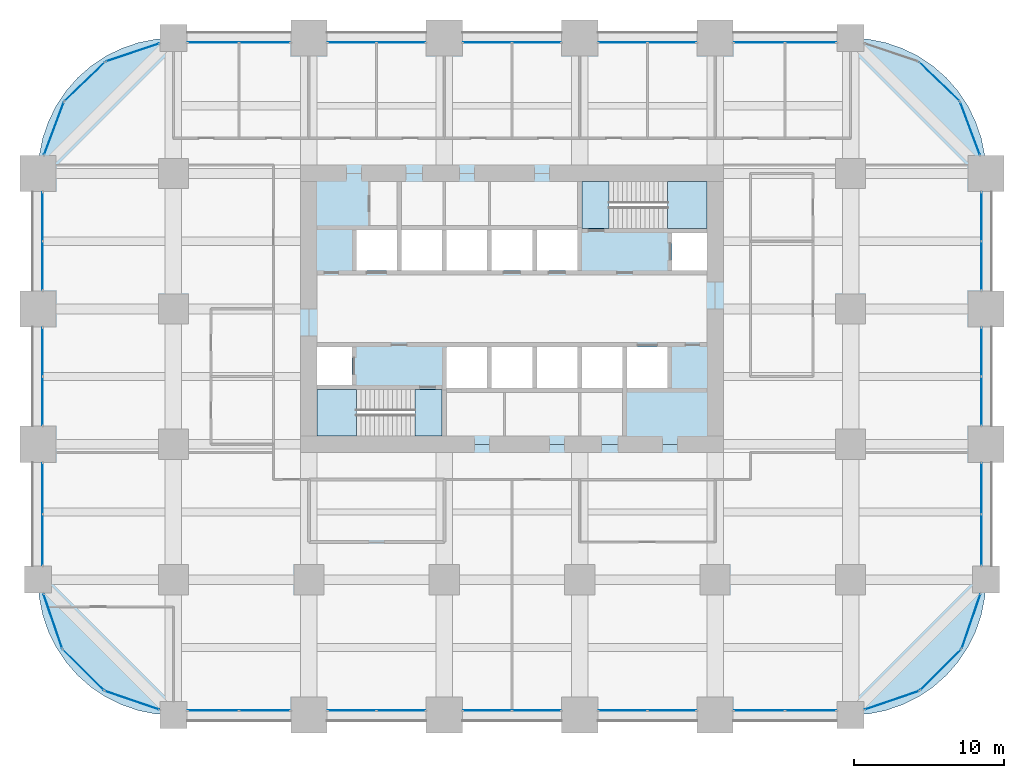
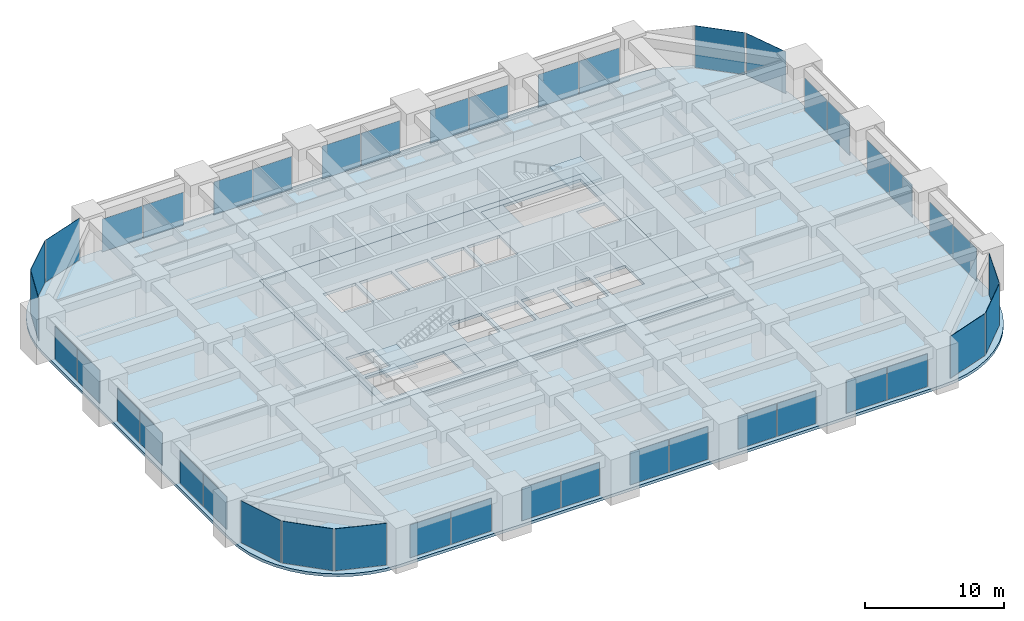
# One storey, part 35 of 40: 43 plates, 6 slabs, 29 elements without a shape of their own.
"""IFC4 building model written with IfcOpenShell, lengths in metres."""

from ifc_helpers import new_model, si_unit, direction, frame, origin, origin_2d, place, context, subcontext, project, spatial, polyline, rectangle, outline, extrude, material, layer, layer_set, type_object, element, aggregate, save


model = new_model("IFC4")

# Units and contexts
model_context = context("Model", 3, precision=1e-05, world=origin(), true_north=direction((0.0, 1.0)))
body_context = subcontext(model_context, "Body", "Model", "MODEL_VIEW")
ifc_project = project(units=[si_unit("LENGTHUNIT", "METRE"), si_unit("AREAUNIT", "SQUARE_METRE"), si_unit("VOLUMEUNIT", "CUBIC_METRE"), si_unit("PLANEANGLEUNIT", "RADIAN"), si_unit("MASSUNIT", "GRAM", prefix="KILO")], contexts=[model_context])

# Site, building, storey
site_placement = place(None, origin())
site = spatial("IfcSite", under=ifc_project, at=site_placement, CompositionType="ELEMENT")
building_placement = place(site_placement, origin())
building = spatial("IfcBuilding", under=site, at=building_placement, Name="Zorevar Civic Tower", CompositionType="ELEMENT")
storey_placement = place(building_placement, frame((0.0, 0.0, 93.0)))
storey = spatial("IfcBuildingStorey", under=building, at=storey_placement, Name="L22", CompositionType="ELEMENT", Elevation=93.0)

# Curtain wall, plates
ifc_material_1 = material(Name="Dark grey solar-control glass in black aluminium frame", Category="aluminium")
curtain_wall_type = type_object("IfcCurtainWallType", Name="Curtain wall CW3 mid zone", PredefinedType="NOTDEFINED", material=ifc_material_1)
curtain_wall_1_placement = place(storey_placement, origin())
curtain_wall_1 = element("IfcCurtainWall", 1, at=curtain_wall_1_placement, inside=storey, type_object=curtain_wall_type, Name="CW3 L22", PredefinedType="NOTDEFINED")
ifc_material_2 = material(Name="Dark grey solar-control glass", Category="glass")
ifc_layer_1 = layer(ifc_material_2, 0.030029296875)
ifc_layer_set_1 = layer_set([ifc_layer_1], Name="CW3 panel 30")
plate_type = type_object("IfcPlateType", Name="CW3 panel 30", PredefinedType="CURTAIN_PANEL", material=ifc_layer_set_1)
plate_1_placement = place(storey_placement, frame((11.639892578125, 0.300048828125, 0.06005859375), z_axis=(0.0, 0.0, 1.0), x_axis=(1.0, 0.0, 0.0)))
plate_1 = element("IfcPlate", 2, at=plate_1_placement, type_object=plate_type, Name="CW3 panel 1.1", PredefinedType="CURTAIN_PANEL", context=body_context, shape_type="SweptSolid", body=[
    extrude(rectangle(XDim=3.360107421875, YDim=0.030029296875, at=origin_2d()), origin(), (0.0, 0.0, 1.0), 2.889892578125),
])
plate_2_placement = place(storey_placement, frame((15.06005859375, 0.300048828125, 0.06005859375), z_axis=(0.0, 0.0, 1.0), x_axis=(1.0, 0.0, 0.0)))
plate_2 = element("IfcPlate", 3, at=plate_2_placement, type_object=plate_type, Name="CW3 panel 2.1", PredefinedType="CURTAIN_PANEL", context=body_context, shape_type="SweptSolid", body=[
    extrude(rectangle(XDim=3.360107421875, YDim=0.030029296875, at=origin_2d()), origin(), (0.0, 0.0, 1.0), 2.889892578125),
])
aggregate(curtain_wall_1, [plate_1, plate_2])

curtain_wall_2_placement = place(storey_placement, origin())
curtain_wall_2 = element("IfcCurtainWall", 4, at=curtain_wall_2_placement, inside=storey, type_object=curtain_wall_type, Name="CW3 L22", PredefinedType="NOTDEFINED")
plate_3_placement = place(storey_placement, frame((11.639892578125, 44.699951171875, 0.06005859375), z_axis=(0.0, 0.0, 1.0), x_axis=(1.0, 0.0, 0.0)))
plate_3 = element("IfcPlate", 5, at=plate_3_placement, type_object=plate_type, Name="CW3 panel 1.1", PredefinedType="CURTAIN_PANEL", context=body_context, shape_type="SweptSolid", body=[
    extrude(rectangle(XDim=3.360107421875, YDim=0.030029296875, at=origin_2d()), origin(), (0.0, 0.0, 1.0), 2.889892578125),
])
plate_4_placement = place(storey_placement, frame((15.06005859375, 44.699951171875, 0.06005859375), z_axis=(0.0, 0.0, 1.0), x_axis=(1.0, 0.0, 0.0)))
plate_4 = element("IfcPlate", 6, at=plate_4_placement, type_object=plate_type, Name="CW3 panel 2.1", PredefinedType="CURTAIN_PANEL", context=body_context, shape_type="SweptSolid", body=[
    extrude(rectangle(XDim=3.360107421875, YDim=0.030029296875, at=origin_2d()), origin(), (0.0, 0.0, 1.0), 2.889892578125),
])
aggregate(curtain_wall_2, [plate_3, plate_4])

curtain_wall_3_placement = place(storey_placement, origin())
curtain_wall_3 = element("IfcCurtainWall", 7, at=curtain_wall_3_placement, inside=storey, type_object=curtain_wall_type, Name="CW3 L22", PredefinedType="NOTDEFINED")
plate_5_placement = place(storey_placement, frame((20.864990234375, 0.300048828125, 0.06005859375), z_axis=(0.0, 0.0, 1.0), x_axis=(1.0, 0.0, 0.0)))
plate_5 = element("IfcPlate", 8, at=plate_5_placement, type_object=plate_type, Name="CW3 panel 1.1", PredefinedType="CURTAIN_PANEL", context=body_context, shape_type="SweptSolid", body=[
    extrude(rectangle(XDim=3.2099609375, YDim=0.030029296875, at=origin_2d()), origin(), (0.0, 0.0, 1.0), 2.889892578125),
])
plate_6_placement = place(storey_placement, frame((24.135009765625, 0.300048828125, 0.06005859375), z_axis=(0.0, 0.0, 1.0), x_axis=(1.0, 0.0, 0.0)))
plate_6 = element("IfcPlate", 9, at=plate_6_placement, type_object=plate_type, Name="CW3 panel 2.1", PredefinedType="CURTAIN_PANEL", context=body_context, shape_type="SweptSolid", body=[
    extrude(rectangle(XDim=3.2099609375, YDim=0.030029296875, at=origin_2d()), origin(), (0.0, 0.0, 1.0), 2.889892578125),
])
aggregate(curtain_wall_3, [plate_5, plate_6])

curtain_wall_4_placement = place(storey_placement, origin())
curtain_wall_4 = element("IfcCurtainWall", 10, at=curtain_wall_4_placement, inside=storey, type_object=curtain_wall_type, Name="CW3 L22", PredefinedType="NOTDEFINED")
plate_7_placement = place(storey_placement, frame((20.864990234375, 44.699951171875, 0.06005859375), z_axis=(0.0, 0.0, 1.0), x_axis=(1.0, 0.0, 0.0)))
plate_7 = element("IfcPlate", 11, at=plate_7_placement, type_object=plate_type, Name="CW3 panel 1.1", PredefinedType="CURTAIN_PANEL", context=body_context, shape_type="SweptSolid", body=[
    extrude(rectangle(XDim=3.2099609375, YDim=0.030029296875, at=origin_2d()), origin(), (0.0, 0.0, 1.0), 2.889892578125),
])
plate_8_placement = place(storey_placement, frame((24.135009765625, 44.699951171875, 0.06005859375), z_axis=(0.0, 0.0, 1.0), x_axis=(1.0, 0.0, 0.0)))
plate_8 = element("IfcPlate", 12, at=plate_8_placement, type_object=plate_type, Name="CW3 panel 2.1", PredefinedType="CURTAIN_PANEL", context=body_context, shape_type="SweptSolid", body=[
    extrude(rectangle(XDim=3.2099609375, YDim=0.030029296875, at=origin_2d()), origin(), (0.0, 0.0, 1.0), 2.889892578125),
])
aggregate(curtain_wall_4, [plate_7, plate_8])

curtain_wall_5_placement = place(storey_placement, origin())
curtain_wall_5 = element("IfcCurtainWall", 13, at=curtain_wall_5_placement, inside=storey, type_object=curtain_wall_type, Name="CW3 L22", PredefinedType="NOTDEFINED")
plate_9_placement = place(storey_placement, frame((29.864990234375, 0.300048828125, 0.06005859375), z_axis=(0.0, 0.0, 1.0), x_axis=(1.0, 0.0, 0.0)))
plate_9 = element("IfcPlate", 14, at=plate_9_placement, type_object=plate_type, Name="CW3 panel 1.1", PredefinedType="CURTAIN_PANEL", context=body_context, shape_type="SweptSolid", body=[
    extrude(rectangle(XDim=3.2099609375, YDim=0.030029296875, at=origin_2d()), origin(), (0.0, 0.0, 1.0), 2.889892578125),
])
plate_10_placement = place(storey_placement, frame((33.135009765625, 0.300048828125, 0.06005859375), z_axis=(0.0, 0.0, 1.0), x_axis=(1.0, 0.0, 0.0)))
plate_10 = element("IfcPlate", 15, at=plate_10_placement, type_object=plate_type, Name="CW3 panel 2.1", PredefinedType="CURTAIN_PANEL", context=body_context, shape_type="SweptSolid", body=[
    extrude(rectangle(XDim=3.2099609375, YDim=0.030029296875, at=origin_2d()), origin(), (0.0, 0.0, 1.0), 2.889892578125),
])
aggregate(curtain_wall_5, [plate_9, plate_10])

curtain_wall_6_placement = place(storey_placement, origin())
curtain_wall_6 = element("IfcCurtainWall", 16, at=curtain_wall_6_placement, inside=storey, type_object=curtain_wall_type, Name="CW3 L22", PredefinedType="NOTDEFINED")
plate_11_placement = place(storey_placement, frame((29.864990234375, 44.699951171875, 0.06005859375), z_axis=(0.0, 0.0, 1.0), x_axis=(1.0, 0.0, 0.0)))
plate_11 = element("IfcPlate", 17, at=plate_11_placement, type_object=plate_type, Name="CW3 panel 1.1", PredefinedType="CURTAIN_PANEL", context=body_context, shape_type="SweptSolid", body=[
    extrude(rectangle(XDim=3.2099609375, YDim=0.030029296875, at=origin_2d()), origin(), (0.0, 0.0, 1.0), 2.889892578125),
])
plate_12_placement = place(storey_placement, frame((33.135009765625, 44.699951171875, 0.06005859375), z_axis=(0.0, 0.0, 1.0), x_axis=(1.0, 0.0, 0.0)))
plate_12 = element("IfcPlate", 18, at=plate_12_placement, type_object=plate_type, Name="CW3 panel 2.1", PredefinedType="CURTAIN_PANEL", context=body_context, shape_type="SweptSolid", body=[
    extrude(rectangle(XDim=3.2099609375, YDim=0.030029296875, at=origin_2d()), origin(), (0.0, 0.0, 1.0), 2.889892578125),
])
aggregate(curtain_wall_6, [plate_11, plate_12])

curtain_wall_7_placement = place(storey_placement, origin())
curtain_wall_7 = element("IfcCurtainWall", 19, at=curtain_wall_7_placement, inside=storey, type_object=curtain_wall_type, Name="CW3 L22", PredefinedType="NOTDEFINED")
plate_13_placement = place(storey_placement, frame((38.864990234375, 0.300048828125, 0.06005859375), z_axis=(0.0, 0.0, 1.0), x_axis=(1.0, 0.0, 0.0)))
plate_13 = element("IfcPlate", 20, at=plate_13_placement, type_object=plate_type, Name="CW3 panel 1.1", PredefinedType="CURTAIN_PANEL", context=body_context, shape_type="SweptSolid", body=[
    extrude(rectangle(XDim=3.2099609375, YDim=0.030029296875, at=origin_2d()), origin(), (0.0, 0.0, 1.0), 2.889892578125),
])
plate_14_placement = place(storey_placement, frame((42.135009765625, 0.300048828125, 0.06005859375), z_axis=(0.0, 0.0, 1.0), x_axis=(1.0, 0.0, 0.0)))
plate_14 = element("IfcPlate", 21, at=plate_14_placement, type_object=plate_type, Name="CW3 panel 2.1", PredefinedType="CURTAIN_PANEL", context=body_context, shape_type="SweptSolid", body=[
    extrude(rectangle(XDim=3.2099609375, YDim=0.030029296875, at=origin_2d()), origin(), (0.0, 0.0, 1.0), 2.889892578125),
])
aggregate(curtain_wall_7, [plate_13, plate_14])

curtain_wall_8_placement = place(storey_placement, origin())
curtain_wall_8 = element("IfcCurtainWall", 22, at=curtain_wall_8_placement, inside=storey, type_object=curtain_wall_type, Name="CW3 L22", PredefinedType="NOTDEFINED")
plate_15_placement = place(storey_placement, frame((38.864990234375, 44.699951171875, 0.06005859375), z_axis=(0.0, 0.0, 1.0), x_axis=(1.0, 0.0, 0.0)))
plate_15 = element("IfcPlate", 23, at=plate_15_placement, type_object=plate_type, Name="CW3 panel 1.1", PredefinedType="CURTAIN_PANEL", context=body_context, shape_type="SweptSolid", body=[
    extrude(rectangle(XDim=3.2099609375, YDim=0.030029296875, at=origin_2d()), origin(), (0.0, 0.0, 1.0), 2.889892578125),
])
plate_16_placement = place(storey_placement, frame((42.135009765625, 44.699951171875, 0.06005859375), z_axis=(0.0, 0.0, 1.0), x_axis=(1.0, 0.0, 0.0)))
plate_16 = element("IfcPlate", 24, at=plate_16_placement, type_object=plate_type, Name="CW3 panel 2.1", PredefinedType="CURTAIN_PANEL", context=body_context, shape_type="SweptSolid", body=[
    extrude(rectangle(XDim=3.2099609375, YDim=0.030029296875, at=origin_2d()), origin(), (0.0, 0.0, 1.0), 2.889892578125),
])
aggregate(curtain_wall_8, [plate_15, plate_16])

curtain_wall_9_placement = place(storey_placement, origin())
curtain_wall_9 = element("IfcCurtainWall", 25, at=curtain_wall_9_placement, inside=storey, type_object=curtain_wall_type, Name="CW3 L22", PredefinedType="NOTDEFINED")
plate_17_placement = place(storey_placement, frame((47.93994140625, 0.300048828125, 0.06005859375), z_axis=(0.0, 0.0, 1.0), x_axis=(1.0, 0.0, 0.0)))
plate_17 = element("IfcPlate", 26, at=plate_17_placement, type_object=plate_type, Name="CW3 panel 1.1", PredefinedType="CURTAIN_PANEL", context=body_context, shape_type="SweptSolid", body=[
    extrude(rectangle(XDim=3.360107421875, YDim=0.030029296875, at=origin_2d()), origin(), (0.0, 0.0, 1.0), 2.889892578125),
])
plate_18_placement = place(storey_placement, frame((51.360107421875, 0.300048828125, 0.06005859375), z_axis=(0.0, 0.0, 1.0), x_axis=(1.0, 0.0, 0.0)))
plate_18 = element("IfcPlate", 27, at=plate_18_placement, type_object=plate_type, Name="CW3 panel 2.1", PredefinedType="CURTAIN_PANEL", context=body_context, shape_type="SweptSolid", body=[
    extrude(rectangle(XDim=3.360107421875, YDim=0.030029296875, at=origin_2d()), origin(), (0.0, 0.0, 1.0), 2.889892578125),
])
aggregate(curtain_wall_9, [plate_17, plate_18])

curtain_wall_10_placement = place(storey_placement, origin())
curtain_wall_10 = element("IfcCurtainWall", 28, at=curtain_wall_10_placement, inside=storey, type_object=curtain_wall_type, Name="CW3 L22", PredefinedType="NOTDEFINED")
plate_19_placement = place(storey_placement, frame((47.93994140625, 44.699951171875, 0.06005859375), z_axis=(0.0, 0.0, 1.0), x_axis=(1.0, 0.0, 0.0)))
plate_19 = element("IfcPlate", 29, at=plate_19_placement, type_object=plate_type, Name="CW3 panel 1.1", PredefinedType="CURTAIN_PANEL", context=body_context, shape_type="SweptSolid", body=[
    extrude(rectangle(XDim=3.360107421875, YDim=0.030029296875, at=origin_2d()), origin(), (0.0, 0.0, 1.0), 2.889892578125),
])
plate_20_placement = place(storey_placement, frame((51.360107421875, 44.699951171875, 0.06005859375), z_axis=(0.0, 0.0, 1.0), x_axis=(1.0, 0.0, 0.0)))
plate_20 = element("IfcPlate", 30, at=plate_20_placement, type_object=plate_type, Name="CW3 panel 2.1", PredefinedType="CURTAIN_PANEL", context=body_context, shape_type="SweptSolid", body=[
    extrude(rectangle(XDim=3.360107421875, YDim=0.030029296875, at=origin_2d()), origin(), (0.0, 0.0, 1.0), 2.889892578125),
])
aggregate(curtain_wall_10, [plate_19, plate_20])

curtain_wall_11_placement = place(storey_placement, origin())
curtain_wall_11 = element("IfcCurtainWall", 31, at=curtain_wall_11_placement, inside=storey, type_object=curtain_wall_type, Name="CW3 L22", PredefinedType="NOTDEFINED")
plate_21_placement = place(storey_placement, frame((0.300048828125, 11.639892578125, 0.06005859375), z_axis=(0.0, 0.0, 1.0), x_axis=(0.0, 1.0, 0.0)))
plate_21 = element("IfcPlate", 32, at=plate_21_placement, type_object=plate_type, Name="CW3 panel 1.1", PredefinedType="CURTAIN_PANEL", context=body_context, shape_type="SweptSolid", body=[
    extrude(rectangle(XDim=3.360107421875, YDim=0.030029296875, at=origin_2d()), origin(), (0.0, 0.0, 1.0), 2.889892578125),
])
plate_22_placement = place(storey_placement, frame((0.300048828125, 15.06005859375, 0.06005859375), z_axis=(0.0, 0.0, 1.0), x_axis=(0.0, 1.0, 0.0)))
plate_22 = element("IfcPlate", 33, at=plate_22_placement, type_object=plate_type, Name="CW3 panel 2.1", PredefinedType="CURTAIN_PANEL", context=body_context, shape_type="SweptSolid", body=[
    extrude(rectangle(XDim=3.360107421875, YDim=0.030029296875, at=origin_2d()), origin(), (0.0, 0.0, 1.0), 2.889892578125),
])
aggregate(curtain_wall_11, [plate_21, plate_22])

curtain_wall_12_placement = place(storey_placement, origin())
curtain_wall_12 = element("IfcCurtainWall", 34, at=curtain_wall_12_placement, inside=storey, type_object=curtain_wall_type, Name="CW3 L22", PredefinedType="NOTDEFINED")
plate_23_placement = place(storey_placement, frame((62.699951171875, 11.639892578125, 0.06005859375), z_axis=(0.0, 0.0, 1.0), x_axis=(0.0, 1.0, 0.0)))
plate_23 = element("IfcPlate", 35, at=plate_23_placement, type_object=plate_type, Name="CW3 panel 1.1", PredefinedType="CURTAIN_PANEL", context=body_context, shape_type="SweptSolid", body=[
    extrude(rectangle(XDim=3.360107421875, YDim=0.030029296875, at=origin_2d()), origin(), (0.0, 0.0, 1.0), 2.889892578125),
])
plate_24_placement = place(storey_placement, frame((62.699951171875, 15.06005859375, 0.06005859375), z_axis=(0.0, 0.0, 1.0), x_axis=(0.0, 1.0, 0.0)))
plate_24 = element("IfcPlate", 36, at=plate_24_placement, type_object=plate_type, Name="CW3 panel 2.1", PredefinedType="CURTAIN_PANEL", context=body_context, shape_type="SweptSolid", body=[
    extrude(rectangle(XDim=3.360107421875, YDim=0.030029296875, at=origin_2d()), origin(), (0.0, 0.0, 1.0), 2.889892578125),
])
aggregate(curtain_wall_12, [plate_23, plate_24])

curtain_wall_13_placement = place(storey_placement, origin())
curtain_wall_13 = element("IfcCurtainWall", 37, at=curtain_wall_13_placement, inside=storey, type_object=curtain_wall_type, Name="CW3 L22", PredefinedType="NOTDEFINED")
plate_25_placement = place(storey_placement, frame((0.300048828125, 20.864990234375, 0.06005859375), z_axis=(0.0, 0.0, 1.0), x_axis=(0.0, 1.0, 0.0)))
plate_25 = element("IfcPlate", 38, at=plate_25_placement, type_object=plate_type, Name="CW3 panel 1.1", PredefinedType="CURTAIN_PANEL", context=body_context, shape_type="SweptSolid", body=[
    extrude(rectangle(XDim=3.2099609375, YDim=0.030029296875, at=origin_2d()), origin(), (0.0, 0.0, 1.0), 2.889892578125),
])
plate_26_placement = place(storey_placement, frame((0.300048828125, 24.135009765625, 0.06005859375), z_axis=(0.0, 0.0, 1.0), x_axis=(0.0, 1.0, 0.0)))
plate_26 = element("IfcPlate", 39, at=plate_26_placement, type_object=plate_type, Name="CW3 panel 2.1", PredefinedType="CURTAIN_PANEL", context=body_context, shape_type="SweptSolid", body=[
    extrude(rectangle(XDim=3.2099609375, YDim=0.030029296875, at=origin_2d()), origin(), (0.0, 0.0, 1.0), 2.889892578125),
])
aggregate(curtain_wall_13, [plate_25, plate_26])

curtain_wall_14_placement = place(storey_placement, origin())
curtain_wall_14 = element("IfcCurtainWall", 40, at=curtain_wall_14_placement, inside=storey, type_object=curtain_wall_type, Name="CW3 L22", PredefinedType="NOTDEFINED")
plate_27_placement = place(storey_placement, frame((62.699951171875, 20.864990234375, 0.06005859375), z_axis=(0.0, 0.0, 1.0), x_axis=(0.0, 1.0, 0.0)))
plate_27 = element("IfcPlate", 41, at=plate_27_placement, type_object=plate_type, Name="CW3 panel 1.1", PredefinedType="CURTAIN_PANEL", context=body_context, shape_type="SweptSolid", body=[
    extrude(rectangle(XDim=3.2099609375, YDim=0.030029296875, at=origin_2d()), origin(), (0.0, 0.0, 1.0), 2.889892578125),
])
plate_28_placement = place(storey_placement, frame((62.699951171875, 24.135009765625, 0.06005859375), z_axis=(0.0, 0.0, 1.0), x_axis=(0.0, 1.0, 0.0)))
plate_28 = element("IfcPlate", 42, at=plate_28_placement, type_object=plate_type, Name="CW3 panel 2.1", PredefinedType="CURTAIN_PANEL", context=body_context, shape_type="SweptSolid", body=[
    extrude(rectangle(XDim=3.2099609375, YDim=0.030029296875, at=origin_2d()), origin(), (0.0, 0.0, 1.0), 2.889892578125),
])
aggregate(curtain_wall_14, [plate_27, plate_28])

curtain_wall_15_placement = place(storey_placement, origin())
curtain_wall_15 = element("IfcCurtainWall", 43, at=curtain_wall_15_placement, inside=storey, type_object=curtain_wall_type, Name="CW3 L22", PredefinedType="NOTDEFINED")
plate_29_placement = place(storey_placement, frame((0.300048828125, 29.864990234375, 0.06005859375), z_axis=(0.0, 0.0, 1.0), x_axis=(0.0, 1.0, 0.0)))
plate_29 = element("IfcPlate", 44, at=plate_29_placement, type_object=plate_type, Name="CW3 panel 1.1", PredefinedType="CURTAIN_PANEL", context=body_context, shape_type="SweptSolid", body=[
    extrude(rectangle(XDim=3.2099609375, YDim=0.030029296875, at=origin_2d()), origin(), (0.0, 0.0, 1.0), 2.889892578125),
])
plate_30_placement = place(storey_placement, frame((0.300048828125, 33.135009765625, 0.06005859375), z_axis=(0.0, 0.0, 1.0), x_axis=(0.0, 1.0, 0.0)))
plate_30 = element("IfcPlate", 45, at=plate_30_placement, type_object=plate_type, Name="CW3 panel 2.1", PredefinedType="CURTAIN_PANEL", context=body_context, shape_type="SweptSolid", body=[
    extrude(rectangle(XDim=3.2099609375, YDim=0.030029296875, at=origin_2d()), origin(), (0.0, 0.0, 1.0), 2.889892578125),
])
aggregate(curtain_wall_15, [plate_29, plate_30])

curtain_wall_16_placement = place(storey_placement, origin())
curtain_wall_16 = element("IfcCurtainWall", 46, at=curtain_wall_16_placement, inside=storey, type_object=curtain_wall_type, Name="CW3 L22", PredefinedType="NOTDEFINED")
plate_31_placement = place(storey_placement, frame((62.699951171875, 29.864990234375, 0.06005859375), z_axis=(0.0, 0.0, 1.0), x_axis=(0.0, 1.0, 0.0)))
plate_31 = element("IfcPlate", 47, at=plate_31_placement, type_object=plate_type, Name="CW3 panel 1.1", PredefinedType="CURTAIN_PANEL", context=body_context, shape_type="SweptSolid", body=[
    extrude(rectangle(XDim=3.2099609375, YDim=0.030029296875, at=origin_2d()), origin(), (0.0, 0.0, 1.0), 2.889892578125),
])
plate_32_placement = place(storey_placement, frame((62.699951171875, 33.135009765625, 0.06005859375), z_axis=(0.0, 0.0, 1.0), x_axis=(0.0, 1.0, 0.0)))
plate_32 = element("IfcPlate", 48, at=plate_32_placement, type_object=plate_type, Name="CW3 panel 2.1", PredefinedType="CURTAIN_PANEL", context=body_context, shape_type="SweptSolid", body=[
    extrude(rectangle(XDim=3.2099609375, YDim=0.030029296875, at=origin_2d()), origin(), (0.0, 0.0, 1.0), 2.889892578125),
])
aggregate(curtain_wall_16, [plate_31, plate_32])

# Curtain wall, plate
curtain_wall_17_placement = place(storey_placement, origin())
curtain_wall_17 = element("IfcCurtainWall", 49, at=curtain_wall_17_placement, inside=storey, type_object=curtain_wall_type, Name="CW3 L22", PredefinedType="NOTDEFINED")
plate_33_placement = place(storey_placement, frame((56.75390625, 0.9833984375, 0.06005859375), z_axis=(0.0, 0.0, 1.0), x_axis=(0.945755772794, 0.324878466857, 0.0)))
plate_33 = element("IfcPlate", 50, at=plate_33_placement, type_object=plate_type, Name="CW3 panel 1.1", PredefinedType="CURTAIN_PANEL", context=body_context, shape_type="SweptSolid", body=[
    extrude(rectangle(XDim=3.80029296875, YDim=0.030029296875, at=origin_2d()), origin(), (0.0, 0.0, 1.0), 3.68994140625),
])
aggregate(curtain_wall_17, [plate_33])

curtain_wall_18_placement = place(storey_placement, origin())
curtain_wall_18 = element("IfcCurtainWall", 51, at=curtain_wall_18_placement, inside=storey, type_object=curtain_wall_type, Name="CW3 L22", PredefinedType="NOTDEFINED")
plate_34_placement = place(storey_placement, frame((59.99365234375, 3.00634765625, 0.06005859375), z_axis=(0.0, 0.0, 1.0), x_axis=(0.707106781187, 0.707106781187, 0.0)))
plate_34 = element("IfcPlate", 52, at=plate_34_placement, type_object=plate_type, Name="CW3 panel 1.1", PredefinedType="CURTAIN_PANEL", context=body_context, shape_type="SweptSolid", body=[
    extrude(rectangle(XDim=3.80029296875, YDim=0.030029296875, at=origin_2d()), origin(), (0.0, 0.0, 1.0), 3.68994140625),
])
aggregate(curtain_wall_18, [plate_34])

curtain_wall_19_placement = place(storey_placement, origin())
curtain_wall_19 = element("IfcCurtainWall", 53, at=curtain_wall_19_placement, inside=storey, type_object=curtain_wall_type, Name="CW3 L22", PredefinedType="NOTDEFINED")
plate_35_placement = place(storey_placement, frame((62.0166015625, 6.24609375, 0.06005859375), z_axis=(0.0, 0.0, 1.0), x_axis=(0.324878466857, 0.945755772794, 0.0)))
plate_35 = element("IfcPlate", 54, at=plate_35_placement, type_object=plate_type, Name="CW3 panel 1.1", PredefinedType="CURTAIN_PANEL", context=body_context, shape_type="SweptSolid", body=[
    extrude(rectangle(XDim=3.80029296875, YDim=0.030029296875, at=origin_2d()), origin(), (0.0, 0.0, 1.0), 3.68994140625),
])
aggregate(curtain_wall_19, [plate_35])

curtain_wall_20_placement = place(storey_placement, origin())
curtain_wall_20 = element("IfcCurtainWall", 55, at=curtain_wall_20_placement, inside=storey, type_object=curtain_wall_type, Name="CW3 L22", PredefinedType="NOTDEFINED")
plate_36_placement = place(storey_placement, frame((61.94384765625, 38.988525390625, 0.06005859375), z_axis=(0.0, 0.0, 1.0), x_axis=(-0.352131520999, 0.935950528564, 0.0)))
plate_36 = element("IfcPlate", 56, at=plate_36_placement, type_object=plate_type, Name="CW3 panel 1.1", PredefinedType="CURTAIN_PANEL", context=body_context, shape_type="SweptSolid", body=[
    extrude(rectangle(XDim=3.7021484375, YDim=0.030029296875, at=origin_2d()), origin(), (0.0, 0.0, 1.0), 3.68994140625),
])
aggregate(curtain_wall_20, [plate_36])

curtain_wall_21_placement = place(storey_placement, origin())
curtain_wall_21 = element("IfcCurtainWall", 57, at=curtain_wall_21_placement, inside=storey, type_object=curtain_wall_type, Name="CW3 L22", PredefinedType="NOTDEFINED")
plate_37_placement = place(storey_placement, frame((59.896484375, 42.10498046875, 0.06005859375), z_axis=(0.0, 0.0, 1.0), x_axis=(-0.719281160023, 0.694719089155, 0.0)))
plate_37 = element("IfcPlate", 58, at=plate_37_placement, type_object=plate_type, Name="CW3 panel 1.1", PredefinedType="CURTAIN_PANEL", context=body_context, shape_type="SweptSolid", body=[
    extrude(rectangle(XDim=3.7021484375, YDim=0.030029296875, at=origin_2d()), origin(), (0.0, 0.0, 1.0), 3.68994140625),
])
aggregate(curtain_wall_21, [plate_37])

curtain_wall_22_placement = place(storey_placement, origin())
curtain_wall_22 = element("IfcCurtainWall", 59, at=curtain_wall_22_placement, inside=storey, type_object=curtain_wall_type, Name="CW3 L22", PredefinedType="NOTDEFINED")
plate_38_placement = place(storey_placement, frame((6.2890625, 44.04296875, 0.06005859375), z_axis=(0.0, 0.0, 1.0), x_axis=(-0.947615765406, -0.319412525043, 0.0)))
plate_38 = element("IfcPlate", 60, at=plate_38_placement, type_object=plate_type, Name="CW3 panel 1.1", PredefinedType="CURTAIN_PANEL", context=body_context, shape_type="SweptSolid", body=[
    extrude(rectangle(XDim=3.7021484375, YDim=0.030029296875, at=origin_2d()), origin(), (0.0, 0.0, 1.0), 3.68994140625),
])
aggregate(curtain_wall_22, [plate_38])

curtain_wall_23_placement = place(storey_placement, origin())
curtain_wall_23 = element("IfcCurtainWall", 61, at=curtain_wall_23_placement, inside=storey, type_object=curtain_wall_type, Name="CW3 L22", PredefinedType="NOTDEFINED")
plate_39_placement = place(storey_placement, frame((3.103515625, 42.10498046875, 0.06005859375), z_axis=(0.0, 0.0, 1.0), x_axis=(-0.719281160023, -0.694719089155, 0.0)))
plate_39 = element("IfcPlate", 62, at=plate_39_placement, type_object=plate_type, Name="CW3 panel 1.1", PredefinedType="CURTAIN_PANEL", context=body_context, shape_type="SweptSolid", body=[
    extrude(rectangle(XDim=3.7021484375, YDim=0.030029296875, at=origin_2d()), origin(), (0.0, 0.0, 1.0), 3.68994140625),
])
aggregate(curtain_wall_23, [plate_39])

curtain_wall_24_placement = place(storey_placement, origin())
curtain_wall_24 = element("IfcCurtainWall", 63, at=curtain_wall_24_placement, inside=storey, type_object=curtain_wall_type, Name="CW3 L22", PredefinedType="NOTDEFINED")
plate_40_placement = place(storey_placement, frame((1.05615234375, 38.988525390625, 0.06005859375), z_axis=(0.0, 0.0, 1.0), x_axis=(-0.352131520999, -0.935950528564, 0.0)))
plate_40 = element("IfcPlate", 64, at=plate_40_placement, type_object=plate_type, Name="CW3 panel 1.1", PredefinedType="CURTAIN_PANEL", context=body_context, shape_type="SweptSolid", body=[
    extrude(rectangle(XDim=3.7021484375, YDim=0.030029296875, at=origin_2d()), origin(), (0.0, 0.0, 1.0), 3.68994140625),
])
aggregate(curtain_wall_24, [plate_40])

curtain_wall_25_placement = place(storey_placement, origin())
curtain_wall_25 = element("IfcCurtainWall", 65, at=curtain_wall_25_placement, inside=storey, type_object=curtain_wall_type, Name="CW3 L22", PredefinedType="NOTDEFINED")
plate_41_placement = place(storey_placement, frame((0.9833984375, 6.24609375, 0.06005859375), z_axis=(0.0, 0.0, 1.0), x_axis=(0.324878466857, -0.945755772794, 0.0)))
plate_41 = element("IfcPlate", 66, at=plate_41_placement, type_object=plate_type, Name="CW3 panel 1.1", PredefinedType="CURTAIN_PANEL", context=body_context, shape_type="SweptSolid", body=[
    extrude(rectangle(XDim=3.80029296875, YDim=0.030029296875, at=origin_2d()), origin(), (0.0, 0.0, 1.0), 3.68994140625),
])
aggregate(curtain_wall_25, [plate_41])

curtain_wall_26_placement = place(storey_placement, origin())
curtain_wall_26 = element("IfcCurtainWall", 67, at=curtain_wall_26_placement, inside=storey, type_object=curtain_wall_type, Name="CW3 L22", PredefinedType="NOTDEFINED")
plate_42_placement = place(storey_placement, frame((3.00634765625, 3.00634765625, 0.06005859375), z_axis=(0.0, 0.0, 1.0), x_axis=(0.707106781187, -0.707106781187, 0.0)))
plate_42 = element("IfcPlate", 68, at=plate_42_placement, type_object=plate_type, Name="CW3 panel 1.1", PredefinedType="CURTAIN_PANEL", context=body_context, shape_type="SweptSolid", body=[
    extrude(rectangle(XDim=3.80029296875, YDim=0.030029296875, at=origin_2d()), origin(), (0.0, 0.0, 1.0), 3.68994140625),
])
aggregate(curtain_wall_26, [plate_42])

curtain_wall_27_placement = place(storey_placement, origin())
curtain_wall_27 = element("IfcCurtainWall", 69, at=curtain_wall_27_placement, inside=storey, type_object=curtain_wall_type, Name="CW3 L22", PredefinedType="NOTDEFINED")
plate_43_placement = place(storey_placement, frame((6.24609375, 0.9833984375, 0.06005859375), z_axis=(0.0, 0.0, 1.0), x_axis=(0.945755772794, -0.324878466857, 0.0)))
plate_43 = element("IfcPlate", 70, at=plate_43_placement, type_object=plate_type, Name="CW3 panel 1.1", PredefinedType="CURTAIN_PANEL", context=body_context, shape_type="SweptSolid", body=[
    extrude(rectangle(XDim=3.80029296875, YDim=0.030029296875, at=origin_2d()), origin(), (0.0, 0.0, 1.0), 3.68994140625),
])
aggregate(curtain_wall_27, [plate_43])

# Slabs
ifc_material_3 = material(Name="Concrete C40/50", Category="concrete")
ifc_layer_2 = layer(ifc_material_3, 0.25)
ifc_layer_set_2 = layer_set([ifc_layer_2], Name="Floor slab 250")
slab_type_1 = type_object("IfcSlabType", Name="Floor slab 250", PredefinedType="FLOOR", material=ifc_layer_set_2)
slab_1_placement = place(storey_placement, frame((0.0, 0.0, -0.25)))
element("IfcSlab", 71, at=slab_1_placement, inside=storey, type_object=slab_type_1, Name="Floor slab L22", PredefinedType="FLOOR", context=body_context, shape_type="SweptSolid", body=[
    extrude(outline(polyline([(54.0, 0.0), (55.1748046875, 0.076904296875), (56.329345703125, 0.306640625), (57.444091796875, 0.68505859375), (58.5, 1.205810546875), (59.478759765625, 1.85986328125), (60.364013671875, 2.635986328125), (61.14013671875, 3.521240234375), (61.794189453125, 4.5), (62.31494140625, 5.555908203125), (62.693359375, 6.670654296875), (62.923095703125, 7.8251953125), (63.0, 9.0), (63.0, 36.0), (62.923095703125, 37.1748046875), (62.693359375, 38.329345703125), (62.31494140625, 39.444091796875), (61.794189453125, 40.5), (61.14013671875, 41.478759765625), (60.364013671875, 42.364013671875), (59.478759765625, 43.14013671875), (58.5, 43.794189453125), (57.444091796875, 44.31494140625), (56.329345703125, 44.693359375), (55.1748046875, 44.923095703125), (54.0, 45.0), (9.0, 45.0), (7.8251953125, 44.923095703125), (6.670654296875, 44.693359375), (5.555908203125, 44.31494140625), (4.5, 43.794189453125), (3.521240234375, 43.14013671875), (2.635986328125, 42.364013671875), (1.85986328125, 41.478759765625), (1.205810546875, 40.5), (0.68505859375, 39.444091796875), (0.306640625, 38.329345703125), (0.076904296875, 37.1748046875), (0.0, 36.0), (0.0, 9.0), (0.076904296875, 7.8251953125), (0.306640625, 6.670654296875), (0.68505859375, 5.555908203125), (1.205810546875, 4.5), (1.85986328125, 3.521240234375), (2.635986328125, 2.635986328125), (3.521240234375, 1.85986328125), (4.5, 1.205810546875), (5.555908203125, 0.68505859375), (6.670654296875, 0.306640625), (7.8251953125, 0.076904296875), (9.0, 0.0), (54.0, 0.0)]), holes=[polyline([(18.0, 18.0), (45.0, 18.0), (45.0, 36.0), (18.0, 36.0), (18.0, 18.0)])]), origin(), (0.0, 0.0, 1.0), 0.25),
])
slab_2_placement = place(storey_placement, frame((0.0, 0.0, -0.25)))
element("IfcSlab", 72, at=slab_2_placement, inside=storey, type_object=slab_type_1, Name="Core floor L22", PredefinedType="FLOOR", context=body_context, shape_type="SweptSolid", body=[
    extrude(outline(polyline([(18.0, 18.0), (45.0, 18.0), (45.0, 36.0), (18.0, 36.0), (18.0, 18.0)]), holes=[polyline([(18.550048828125, 18.550048828125), (26.85009765625, 18.550048828125), (26.85009765625, 21.64990234375), (18.550048828125, 21.64990234375), (18.550048828125, 18.550048828125)]), polyline([(36.14990234375, 32.35009765625), (44.449951171875, 32.35009765625), (44.449951171875, 35.449951171875), (36.14990234375, 35.449951171875), (36.14990234375, 32.35009765625)]), polyline([(18.550048828125, 21.949951171875), (20.85009765625, 21.949951171875), (20.85009765625, 24.449951171875), (18.550048828125, 24.449951171875), (18.550048828125, 21.949951171875)]), polyline([(42.14990234375, 29.550048828125), (44.449951171875, 29.550048828125), (44.449951171875, 32.050048828125), (42.14990234375, 32.050048828125), (42.14990234375, 29.550048828125)]), polyline([(27.14990234375, 21.75), (29.85009765625, 21.75), (29.85009765625, 24.449951171875), (27.14990234375, 24.449951171875), (27.14990234375, 21.75)]), polyline([(33.14990234375, 29.550048828125), (35.85009765625, 29.550048828125), (35.85009765625, 32.25), (33.14990234375, 32.25), (33.14990234375, 29.550048828125)]), polyline([(30.14990234375, 21.75), (32.85009765625, 21.75), (32.85009765625, 24.449951171875), (30.14990234375, 24.449951171875), (30.14990234375, 21.75)]), polyline([(30.14990234375, 29.550048828125), (32.85009765625, 29.550048828125), (32.85009765625, 32.25), (30.14990234375, 32.25), (30.14990234375, 29.550048828125)]), polyline([(33.14990234375, 21.75), (35.85009765625, 21.75), (35.85009765625, 24.449951171875), (33.14990234375, 24.449951171875), (33.14990234375, 21.75)]), polyline([(27.14990234375, 29.550048828125), (29.85009765625, 29.550048828125), (29.85009765625, 32.25), (27.14990234375, 32.25), (27.14990234375, 29.550048828125)]), polyline([(36.14990234375, 21.75), (38.85009765625, 21.75), (38.85009765625, 24.449951171875), (36.14990234375, 24.449951171875), (36.14990234375, 21.75)]), polyline([(24.14990234375, 29.550048828125), (26.85009765625, 29.550048828125), (26.85009765625, 32.25), (24.14990234375, 32.25), (24.14990234375, 29.550048828125)]), polyline([(39.14990234375, 21.75), (41.85009765625, 21.75), (41.85009765625, 24.449951171875), (39.14990234375, 24.449951171875), (39.14990234375, 21.75)]), polyline([(21.14990234375, 29.550048828125), (23.85009765625, 29.550048828125), (23.85009765625, 32.25), (21.14990234375, 32.25), (21.14990234375, 29.550048828125)])]), origin(), (0.0, 0.0, 1.0), 0.25),
])

# Stair, slabs
ifc_material_4 = material(Name="Precast concrete C40/50", Category="concrete")
stair_type = type_object("IfcStairType", Name="Stair ST 28R", PredefinedType="HALF_TURN_STAIR", material=ifc_material_4)
stair_1_placement = place(storey_placement, origin())
stair_1 = element("IfcStair", 73, at=stair_1_placement, inside=storey, type_object=stair_type, Name="Stair ST1 L22", PredefinedType="HALF_TURN_STAIR")
ifc_material_5 = material(Name="Concrete C40/50", Category="concrete")
ifc_layer_3 = layer(ifc_material_5, 0.199951171875)
ifc_layer_set_3 = layer_set([ifc_layer_3], Name="Stair landing 200")
slab_type_2 = type_object("IfcSlabType", Name="Stair landing 200", PredefinedType="LANDING", material=ifc_layer_set_3)
slab_3_placement = place(storey_placement, frame((0.0, 0.0, -0.199951171875)))
slab_3 = element("IfcSlab", 74, at=slab_3_placement, type_object=slab_type_2, Name="ST1 landing 1", PredefinedType="LANDING", context=body_context, shape_type="SweptSolid", body=[
    extrude(outline(polyline([(25.050048828125, 18.550048828125), (26.85009765625, 18.550048828125), (26.85009765625, 21.64990234375), (25.050048828125, 21.64990234375), (25.050048828125, 18.550048828125)])), origin(), (0.0, 0.0, 1.0), 0.199951171875),
])
slab_4_placement = place(storey_placement, frame((0.0, 0.0, 1.800048828125)))
slab_4 = element("IfcSlab", 75, at=slab_4_placement, type_object=slab_type_2, Name="ST1 landing 2", PredefinedType="LANDING", context=body_context, shape_type="SweptSolid", body=[
    extrude(outline(polyline([(18.550048828125, 18.550048828125), (21.14990234375, 18.550048828125), (21.14990234375, 21.64990234375), (18.550048828125, 21.64990234375), (18.550048828125, 18.550048828125)])), origin(), (0.0, 0.0, 1.0), 0.199951171875),
])
aggregate(stair_1, [slab_3, slab_4])

stair_2_placement = place(storey_placement, origin())
stair_2 = element("IfcStair", 76, at=stair_2_placement, inside=storey, type_object=stair_type, Name="Stair ST2 L22", PredefinedType="HALF_TURN_STAIR")
slab_5_placement = place(storey_placement, frame((0.0, 0.0, -0.199951171875)))
slab_5 = element("IfcSlab", 77, at=slab_5_placement, type_object=slab_type_2, Name="ST2 landing 1", PredefinedType="LANDING", context=body_context, shape_type="SweptSolid", body=[
    extrude(outline(polyline([(37.949951171875, 32.35009765625), (36.14990234375, 32.35009765625), (36.14990234375, 35.449951171875), (37.949951171875, 35.449951171875), (37.949951171875, 32.35009765625)])), origin(), (0.0, 0.0, 1.0), 0.199951171875),
])
slab_6_placement = place(storey_placement, frame((0.0, 0.0, 1.800048828125)))
slab_6 = element("IfcSlab", 78, at=slab_6_placement, type_object=slab_type_2, Name="ST2 landing 2", PredefinedType="LANDING", context=body_context, shape_type="SweptSolid", body=[
    extrude(outline(polyline([(44.449951171875, 32.35009765625), (41.85009765625, 32.35009765625), (41.85009765625, 35.449951171875), (44.449951171875, 35.449951171875), (44.449951171875, 32.35009765625)])), origin(), (0.0, 0.0, 1.0), 0.199951171875),
])
aggregate(stair_2, [slab_5, slab_6])

save(model, "model.ifc")
